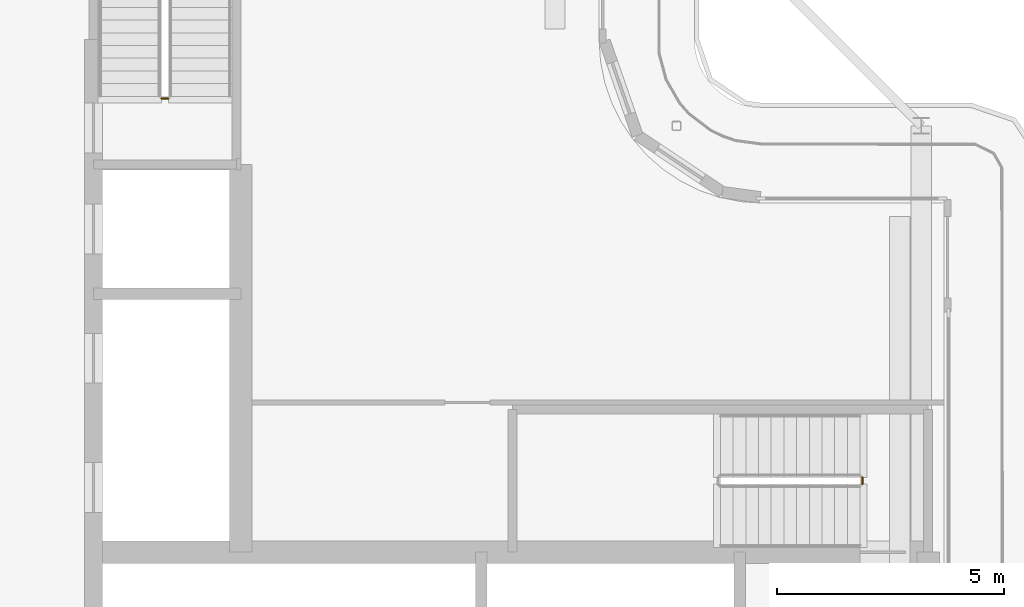
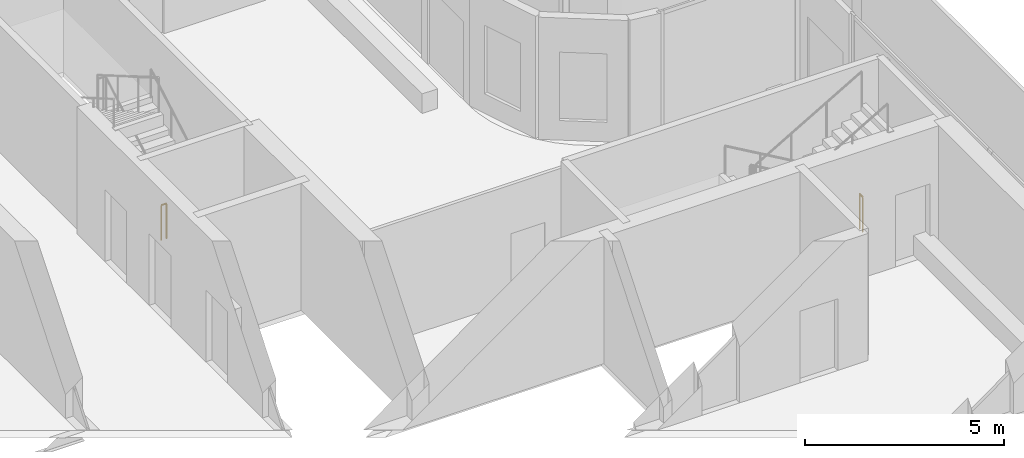
# One storey, part 14 of 18: 2 railings.
"""IFC4 building model written with IfcOpenShell, lengths in metres."""

from ifc_helpers import new_model, si_unit, direction, frame, origin, origin_2d, place, context, subcontext, project, spatial, circle, extrude, material, type_object, element, save


model = new_model("IFC4")

# Units and contexts
model_context = context("Model", 3, precision=1e-05, world=origin(), true_north=direction((0.0, 1.0)))
body_context = subcontext(model_context, "Body", "Model", "MODEL_VIEW")
ifc_project = project(units=[si_unit("LENGTHUNIT", "METRE"), si_unit("AREAUNIT", "SQUARE_METRE"), si_unit("VOLUMEUNIT", "CUBIC_METRE"), si_unit("PLANEANGLEUNIT", "RADIAN"), si_unit("MASSUNIT", "GRAM", prefix="KILO")], contexts=[model_context])

# Site, building, storey
site_placement = place(None, origin())
site = spatial("IfcSite", under=ifc_project, at=site_placement, CompositionType="ELEMENT")
building_placement = place(site_placement, origin())
building = spatial("IfcBuilding", under=site, at=building_placement, Name="Kheshtan School and Residences Tower", CompositionType="ELEMENT")
storey_placement = place(building_placement, frame((0.0, 0.0, 361.699951171875)))
storey = spatial("IfcBuildingStorey", under=building, at=storey_placement, Name="L85", CompositionType="ELEMENT", Elevation=361.699951171875)

# Railings
ifc_material = material(Name="Stainless steel balustrade", Category="steel")
railing_type = type_object("IfcRailingType", Name="Stair guard 1100", PredefinedType="GUARDRAIL", material=ifc_material)
railing_1_placement = place(storey_placement, frame((51.699951171875, 37.85009765625, 0.0)))
element("IfcRailing", 1, at=railing_1_placement, inside=storey, type_object=railing_type, Name="L85 ST1 stair guard 2", PredefinedType="GUARDRAIL", context=body_context, shape_type="SweptSolid", body=[
    extrude(circle(Radius=0.02392578125, at=origin_2d()), frame((0.0, 0.0, 1.076171875), z_axis=(0.0, -1.0, 0.0), x_axis=(1.0, 0.0, 0.0)), (0.0, 0.0, 1.0), 0.150146484375),
    extrude(circle(Radius=0.02099609375, at=origin_2d()), origin(), (0.0, 0.0, 1.0), 1.052001953125),
    extrude(circle(Radius=0.02099609375, at=origin_2d()), frame((0.0, -0.150146484375, 0.0)), (0.0, 0.0, 1.0), 1.052001953125),
])
railing_2_placement = place(storey_placement, frame((36.39990234375, 46.199951171875, 0.0)))
element("IfcRailing", 2, at=railing_2_placement, inside=storey, type_object=railing_type, Name="L85 ST2 stair guard 2", PredefinedType="GUARDRAIL", context=body_context, shape_type="SweptSolid", body=[
    extrude(circle(Radius=0.02392578125, at=origin_2d()), frame((0.0, 0.0, 1.076171875), z_axis=(-1.0, 0.0, 0.0), x_axis=(0.0, -1.0, 0.0)), (0.0, 0.0, 1.0), 0.14990234375),
    extrude(circle(Radius=0.02099609375, at=origin_2d()), origin(), (0.0, 0.0, 1.0), 1.052001953125),
    extrude(circle(Radius=0.02099609375, at=origin_2d()), frame((-0.14990234375, 0.0, 0.0)), (0.0, 0.0, 1.0), 1.052001953125),
])

save(model, "model.ifc")
